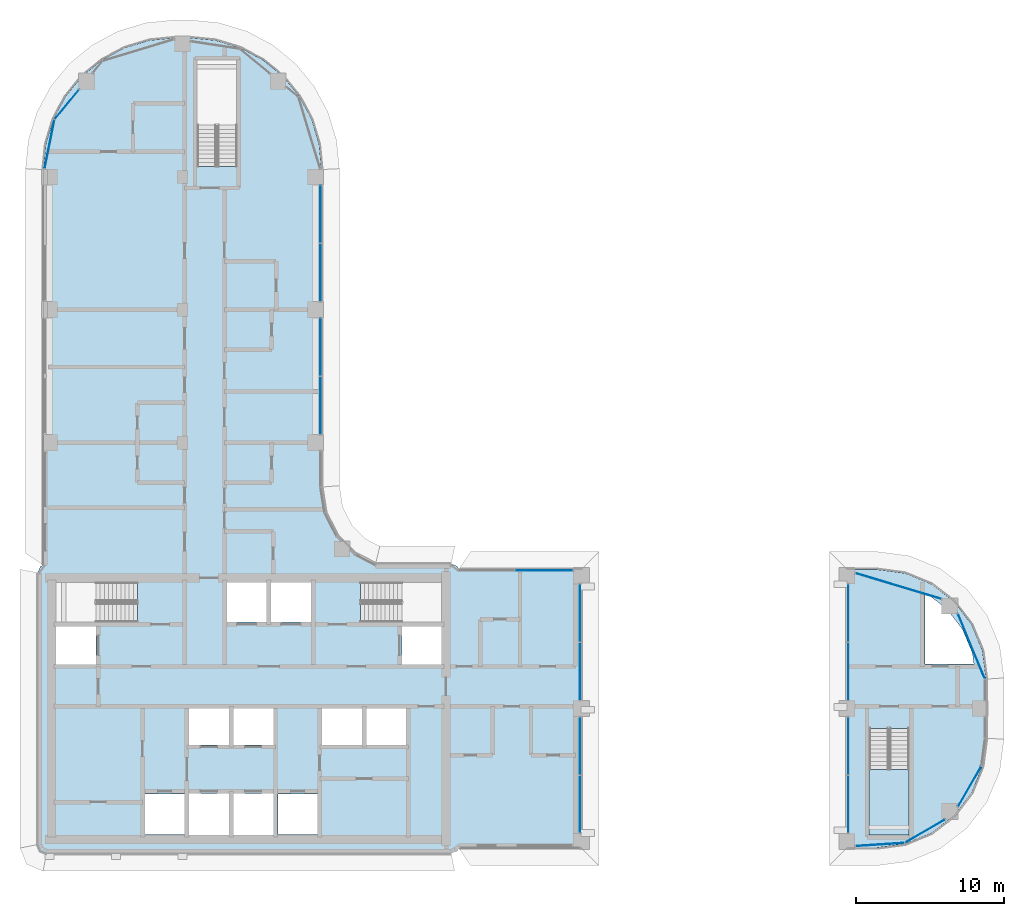
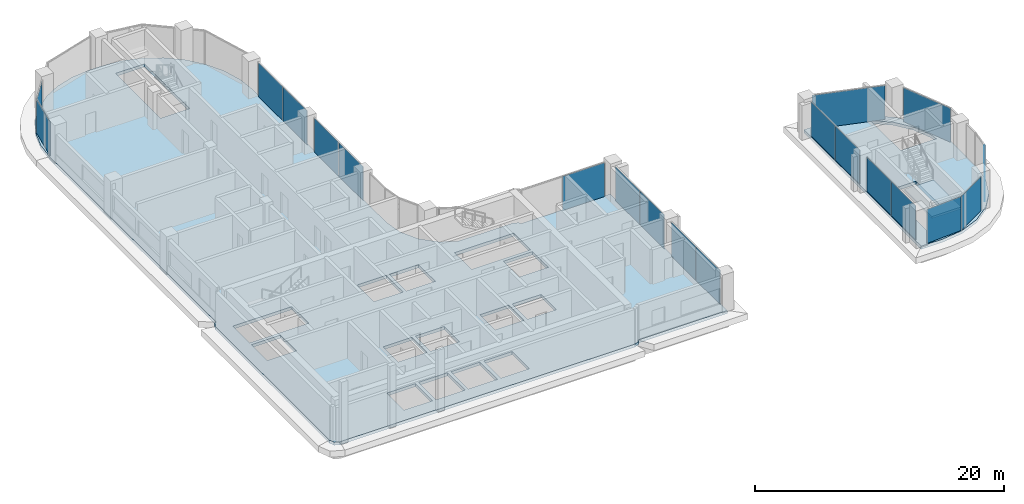
# One storey, part 8 of 24: 20 plates, 3 slabs, 13 elements without a shape of their own.
"""IFC4 building model written with IfcOpenShell, lengths in metres."""

from ifc_helpers import new_model, si_unit, direction, frame, origin, origin_2d, place, context, subcontext, project, spatial, polyline, rectangle, outline, extrude, material, layer, layer_set, type_object, element, aggregate, save


model = new_model("IFC4")

# Units and contexts
model_context = context("Model", 3, precision=1e-05, world=origin(), true_north=direction((0.0, 1.0)))
body_context = subcontext(model_context, "Body", "Model", "MODEL_VIEW")
ifc_project = project(units=[si_unit("LENGTHUNIT", "METRE"), si_unit("AREAUNIT", "SQUARE_METRE"), si_unit("VOLUMEUNIT", "CUBIC_METRE"), si_unit("PLANEANGLEUNIT", "RADIAN"), si_unit("MASSUNIT", "GRAM", prefix="KILO")], contexts=[model_context])

# Site, building, storey
site_placement = place(None, origin())
site = spatial("IfcSite", under=ifc_project, at=site_placement, CompositionType="ELEMENT")
building_placement = place(site_placement, origin())
building = spatial("IfcBuilding", under=site, at=building_placement, Name="Ogive Portal Towers", CompositionType="ELEMENT")
storey_placement = place(building_placement, frame((0.0, 0.0, 153.300048828125)))
storey = spatial("IfcBuildingStorey", under=building, at=storey_placement, Name="L37", CompositionType="ELEMENT", Elevation=153.300048828125)

# Curtain wall, plates
ifc_material_1 = material(Name="Glass, clear low-iron insulated glazing", Category="glass")
curtain_wall_type_1 = type_object("IfcCurtainWallType", Name="CW FRONT RIBBON 4500", PredefinedType="NOTDEFINED", material=ifc_material_1)
curtain_wall_1_placement = place(storey_placement, origin())
curtain_wall_1 = element("IfcCurtainWall", 1, at=curtain_wall_1_placement, inside=storey, type_object=curtain_wall_type_1, Name="A:L37:f06:cw0~1", PredefinedType="NOTDEFINED")
ifc_layer_1 = layer(ifc_material_1, 0.028076171875)
ifc_layer_set_1 = layer_set([ifc_layer_1], Name="CW PANEL IGU 28")
plate_type = type_object("IfcPlateType", Name="CW PANEL IGU 28", PredefinedType="CURTAIN_PANEL", material=ifc_layer_set_1)
plate_1_placement = place(storey_placement, frame((49.844970703125, 51.02490234375, 0.0), z_axis=(0.0, 0.0, 1.0), x_axis=(0.0, 1.0, 0.0)))
plate_1 = element("IfcPlate", 2, at=plate_1_placement, type_object=plate_type, Name="panel", PredefinedType="CURTAIN_PANEL", context=body_context, shape_type="SweptSolid", body=[
    extrude(rectangle(XDim=3.889892578125, YDim=0.028076171875, at=origin_2d()), origin(), (0.0, 0.0, 1.0), 3.340087890625),
])
plate_2_placement = place(storey_placement, frame((49.844970703125, 54.97509765625, 0.0), z_axis=(0.0, 0.0, 1.0), x_axis=(0.0, 1.0, 0.0)))
plate_2 = element("IfcPlate", 3, at=plate_2_placement, type_object=plate_type, Name="panel", PredefinedType="CURTAIN_PANEL", context=body_context, shape_type="SweptSolid", body=[
    extrude(rectangle(XDim=3.889892578125, YDim=0.028076171875, at=origin_2d()), origin(), (0.0, 0.0, 1.0), 3.340087890625),
])
aggregate(curtain_wall_1, [plate_1, plate_2])

curtain_wall_2_placement = place(storey_placement, origin())
curtain_wall_2 = element("IfcCurtainWall", 4, at=curtain_wall_2_placement, inside=storey, type_object=curtain_wall_type_1, Name="A:L37:f06:cw0~2", PredefinedType="NOTDEFINED")
plate_3_placement = place(storey_placement, frame((49.844970703125, 60.02490234375, 0.0), z_axis=(0.0, 0.0, 1.0), x_axis=(0.0, 1.0, 0.0)))
plate_3 = element("IfcPlate", 5, at=plate_3_placement, type_object=plate_type, Name="panel", PredefinedType="CURTAIN_PANEL", context=body_context, shape_type="SweptSolid", body=[
    extrude(rectangle(XDim=3.889892578125, YDim=0.028076171875, at=origin_2d()), origin(), (0.0, 0.0, 1.0), 3.340087890625),
])
plate_4_placement = place(storey_placement, frame((49.844970703125, 63.97509765625, 0.0), z_axis=(0.0, 0.0, 1.0), x_axis=(0.0, 1.0, 0.0)))
plate_4 = element("IfcPlate", 6, at=plate_4_placement, type_object=plate_type, Name="panel", PredefinedType="CURTAIN_PANEL", context=body_context, shape_type="SweptSolid", body=[
    extrude(rectangle(XDim=3.889892578125, YDim=0.028076171875, at=origin_2d()), origin(), (0.0, 0.0, 1.0), 3.340087890625),
])
aggregate(curtain_wall_2, [plate_3, plate_4])

curtain_wall_type_2 = type_object("IfcCurtainWallType", Name="CW PORTAL REVEAL", PredefinedType="NOTDEFINED", material=ifc_material_1)
curtain_wall_3_placement = place(storey_placement, origin())
curtain_wall_3 = element("IfcCurtainWall", 7, at=curtain_wall_3_placement, inside=storey, type_object=curtain_wall_type_2, Name="A:L37:f22:cw0~0", PredefinedType="NOTDEFINED")
plate_5_placement = place(storey_placement, frame((67.419921875, 24.02490234375, 0.0), z_axis=(0.0, 0.0, 1.0), x_axis=(0.0, 1.0, 0.0)))
plate_5 = element("IfcPlate", 8, at=plate_5_placement, type_object=plate_type, Name="panel", PredefinedType="CURTAIN_PANEL", context=body_context, shape_type="SweptSolid", body=[
    extrude(rectangle(XDim=3.889892578125, YDim=0.028076171875, at=origin_2d()), origin(), (0.0, 0.0, 1.0), 3.340087890625),
])
plate_6_placement = place(storey_placement, frame((67.419921875, 27.97509765625, 0.0), z_axis=(0.0, 0.0, 1.0), x_axis=(0.0, 1.0, 0.0)))
plate_6 = element("IfcPlate", 9, at=plate_6_placement, type_object=plate_type, Name="panel", PredefinedType="CURTAIN_PANEL", context=body_context, shape_type="SweptSolid", body=[
    extrude(rectangle(XDim=3.889892578125, YDim=0.028076171875, at=origin_2d()), origin(), (0.0, 0.0, 1.0), 3.340087890625),
])
aggregate(curtain_wall_3, [plate_5, plate_6])

curtain_wall_4_placement = place(storey_placement, origin())
curtain_wall_4 = element("IfcCurtainWall", 10, at=curtain_wall_4_placement, inside=storey, type_object=curtain_wall_type_2, Name="A:L37:f22:cw0~1", PredefinedType="NOTDEFINED")
plate_7_placement = place(storey_placement, frame((67.419921875, 33.02490234375, 0.0), z_axis=(0.0, 0.0, 1.0), x_axis=(0.0, 1.0, 0.0)))
plate_7 = element("IfcPlate", 11, at=plate_7_placement, type_object=plate_type, Name="panel", PredefinedType="CURTAIN_PANEL", context=body_context, shape_type="SweptSolid", body=[
    extrude(rectangle(XDim=3.889892578125, YDim=0.028076171875, at=origin_2d()), origin(), (0.0, 0.0, 1.0), 3.340087890625),
])
plate_8_placement = place(storey_placement, frame((67.419921875, 36.97509765625, 0.0), z_axis=(0.0, 0.0, 1.0), x_axis=(0.0, 1.0, 0.0)))
plate_8 = element("IfcPlate", 12, at=plate_8_placement, type_object=plate_type, Name="panel", PredefinedType="CURTAIN_PANEL", context=body_context, shape_type="SweptSolid", body=[
    extrude(rectangle(XDim=3.889892578125, YDim=0.028076171875, at=origin_2d()), origin(), (0.0, 0.0, 1.0), 3.340087890625),
])
aggregate(curtain_wall_4, [plate_7, plate_8])

# Curtain wall, plate
curtain_wall_5_placement = place(storey_placement, origin())
curtain_wall_5 = element("IfcCurtainWall", 13, at=curtain_wall_5_placement, inside=storey, type_object=curtain_wall_type_1, Name="A:L37:f23:cw0", PredefinedType="NOTDEFINED")
plate_9_placement = place(storey_placement, frame((64.97509765625, 39.844970703125, 0.0), z_axis=(0.0, 0.0, 1.0), x_axis=(-1.0, 0.0, 0.0)))
plate_9 = element("IfcPlate", 14, at=plate_9_placement, type_object=plate_type, Name="panel", PredefinedType="CURTAIN_PANEL", context=body_context, shape_type="SweptSolid", body=[
    extrude(rectangle(XDim=3.889892578125, YDim=0.028076171875, at=origin_2d()), origin(), (0.0, 0.0, 1.0), 3.340087890625),
])
aggregate(curtain_wall_5, [plate_9])

# Curtain wall, plates
curtain_wall_6_placement = place(storey_placement, origin())
curtain_wall_6 = element("IfcCurtainWall", 15, at=curtain_wall_6_placement, inside=storey, type_object=curtain_wall_type_2, Name="A:L37:f24:cw0~0", PredefinedType="NOTDEFINED")
plate_10_placement = place(storey_placement, frame((85.580078125, 36.97509765625, 0.0), z_axis=(0.0, 0.0, 1.0), x_axis=(0.0, -1.0, 0.0)))
plate_10 = element("IfcPlate", 16, at=plate_10_placement, type_object=plate_type, Name="panel", PredefinedType="CURTAIN_PANEL", context=body_context, shape_type="SweptSolid", body=[
    extrude(rectangle(XDim=3.889892578125, YDim=0.028076171875, at=origin_2d()), origin(), (0.0, 0.0, 1.0), 3.340087890625),
])
plate_11_placement = place(storey_placement, frame((85.580078125, 33.02490234375, 0.0), z_axis=(0.0, 0.0, 1.0), x_axis=(0.0, -1.0, 0.0)))
plate_11 = element("IfcPlate", 17, at=plate_11_placement, type_object=plate_type, Name="panel", PredefinedType="CURTAIN_PANEL", context=body_context, shape_type="SweptSolid", body=[
    extrude(rectangle(XDim=3.889892578125, YDim=0.028076171875, at=origin_2d()), origin(), (0.0, 0.0, 1.0), 3.340087890625),
])
aggregate(curtain_wall_6, [plate_10, plate_11])

curtain_wall_7_placement = place(storey_placement, origin())
curtain_wall_7 = element("IfcCurtainWall", 18, at=curtain_wall_7_placement, inside=storey, type_object=curtain_wall_type_2, Name="A:L37:f24:cw0~1", PredefinedType="NOTDEFINED")
plate_12_placement = place(storey_placement, frame((85.580078125, 27.97509765625, 0.0), z_axis=(0.0, 0.0, 1.0), x_axis=(0.0, -1.0, 0.0)))
plate_12 = element("IfcPlate", 19, at=plate_12_placement, type_object=plate_type, Name="panel", PredefinedType="CURTAIN_PANEL", context=body_context, shape_type="SweptSolid", body=[
    extrude(rectangle(XDim=3.889892578125, YDim=0.028076171875, at=origin_2d()), origin(), (0.0, 0.0, 1.0), 3.340087890625),
])
plate_13_placement = place(storey_placement, frame((85.580078125, 24.02490234375, 0.0), z_axis=(0.0, 0.0, 1.0), x_axis=(0.0, -1.0, 0.0)))
plate_13 = element("IfcPlate", 20, at=plate_13_placement, type_object=plate_type, Name="panel", PredefinedType="CURTAIN_PANEL", context=body_context, shape_type="SweptSolid", body=[
    extrude(rectangle(XDim=3.889892578125, YDim=0.028076171875, at=origin_2d()), origin(), (0.0, 0.0, 1.0), 3.340087890625),
])
aggregate(curtain_wall_7, [plate_12, plate_13])

curtain_wall_8_placement = place(storey_placement, origin())
curtain_wall_8 = element("IfcCurtainWall", 21, at=curtain_wall_8_placement, inside=storey, type_object=curtain_wall_type_1, Name="A:L37:f07:cwa~3", PredefinedType="NOTDEFINED")
plate_14_placement = place(storey_placement, frame((32.667236328125, 71.401611328125, 0.0), z_axis=(0.0, 0.0, 1.0), x_axis=(-0.634393284164, -0.773010453363, 0.0)))
plate_14 = element("IfcPlate", 22, at=plate_14_placement, type_object=plate_type, Name="panel", PredefinedType="CURTAIN_PANEL", context=body_context, shape_type="SweptSolid", body=[
    extrude(rectangle(XDim=2.582763671875, YDim=0.028076171875, at=origin_2d()), origin(), (0.0, 0.0, 1.0), 3.340087890625),
])
plate_15_placement = place(storey_placement, frame((31.497802734375, 68.715087890625, 0.0), z_axis=(0.0, 0.0, 1.0), x_axis=(-0.195090322016, -0.980785280403, 0.0)))
plate_15 = element("IfcPlate", 23, at=plate_15_placement, type_object=plate_type, Name="panel", PredefinedType="CURTAIN_PANEL", context=body_context, shape_type="SweptSolid", body=[
    extrude(rectangle(XDim=3.33544921875, YDim=0.028076171875, at=origin_2d()), origin(), (0.0, 0.0, 1.0), 3.340087890625),
])
aggregate(curtain_wall_8, [plate_14, plate_15])

curtain_wall_9_placement = place(storey_placement, origin())
curtain_wall_9 = element("IfcCurtainWall", 24, at=curtain_wall_9_placement, inside=storey, type_object=curtain_wall_type_1, Name="A:L37:f25:cwa~0", PredefinedType="NOTDEFINED")
plate_16_placement = place(storey_placement, frame((87.723876953125, 21.298583984375, 0.0), z_axis=(0.0, 0.0, 1.0), x_axis=(0.997925540949, 0.064378682198, 0.0)))
plate_16 = element("IfcPlate", 25, at=plate_16_placement, type_object=plate_type, Name="panel", PredefinedType="CURTAIN_PANEL", context=body_context, shape_type="SweptSolid", body=[
    extrude(rectangle(XDim=3.294921875, YDim=0.028076171875, at=origin_2d()), origin(), (0.0, 0.0, 1.0), 3.340087890625),
])
plate_17_placement = place(storey_placement, frame((90.77783203125, 22.203369140625, 0.0), z_axis=(0.0, 0.0, 1.0), x_axis=(0.866025403784, 0.5, 0.0)))
plate_17 = element("IfcPlate", 26, at=plate_17_placement, type_object=plate_type, Name="panel", PredefinedType="CURTAIN_PANEL", context=body_context, shape_type="SweptSolid", body=[
    extrude(rectangle(XDim=3.126708984375, YDim=0.028076171875, at=origin_2d()), origin(), (0.0, 0.0, 1.0), 3.340087890625),
])
aggregate(curtain_wall_9, [plate_16, plate_17])

# Curtain wall, plate
curtain_wall_10_placement = place(storey_placement, origin())
curtain_wall_10 = element("IfcCurtainWall", 27, at=curtain_wall_10_placement, inside=storey, type_object=curtain_wall_type_1, Name="A:L37:f25:cwa~1", PredefinedType="NOTDEFINED")
plate_18_placement = place(storey_placement, frame((93.79736328125, 25.223388671875, 0.0), z_axis=(0.0, 0.0, 1.0), x_axis=(0.5, 0.866025403784, 0.0)))
plate_18 = element("IfcPlate", 28, at=plate_18_placement, type_object=plate_type, Name="panel", PredefinedType="CURTAIN_PANEL", context=body_context, shape_type="SweptSolid", body=[
    extrude(rectangle(XDim=3.129638671875, YDim=0.028076171875, at=origin_2d()), origin(), (0.0, 0.0, 1.0), 3.340087890625),
])
aggregate(curtain_wall_10, [plate_18])

curtain_wall_11_placement = place(storey_placement, origin())
curtain_wall_11 = element("IfcCurtainWall", 29, at=curtain_wall_11_placement, inside=storey, type_object=curtain_wall_type_1, Name="A:L37:f30:cwa~0", PredefinedType="NOTDEFINED")
plate_19_placement = place(storey_placement, frame((93.922607421875, 34.711181640625, 0.0), z_axis=(0.0, 0.0, 1.0), x_axis=(-0.382683432365, 0.923879532511, 0.0)))
plate_19 = element("IfcPlate", 30, at=plate_19_placement, type_object=plate_type, Name="panel", PredefinedType="CURTAIN_PANEL", context=body_context, shape_type="SweptSolid", body=[
    extrude(rectangle(XDim=4.76123046875, YDim=0.028076171875, at=origin_2d()), origin(), (0.0, 0.0, 1.0), 3.340087890625),
])
aggregate(curtain_wall_11, [plate_19])

curtain_wall_12_placement = place(storey_placement, origin())
curtain_wall_12 = element("IfcCurtainWall", 31, at=curtain_wall_12_placement, inside=storey, type_object=curtain_wall_type_1, Name="A:L37:f30:cwa~1", PredefinedType="NOTDEFINED")
plate_20_placement = place(storey_placement, frame((88.97509765625, 38.799072265625, 0.0), z_axis=(0.0, 0.0, 1.0), x_axis=(-0.95783894531, 0.287305681891, 0.0)))
plate_20 = element("IfcPlate", 32, at=plate_20_placement, type_object=plate_type, Name="panel", PredefinedType="CURTAIN_PANEL", context=body_context, shape_type="SweptSolid", body=[
    extrude(rectangle(XDim=6.047607421875, YDim=0.028076171875, at=origin_2d()), origin(), (0.0, 0.0, 1.0), 3.340087890625),
])
aggregate(curtain_wall_12, [plate_20])

# Stair, slab
ifc_material_2 = material(Name="Concrete C40/50", Category="concrete")
stair_type = type_object("IfcStairType", Name="INT-STAIR", PredefinedType="HALF_TURN_STAIR", material=ifc_material_2)
stair_placement = place(storey_placement, origin())
stair = element("IfcStair", 33, at=stair_placement, inside=storey, type_object=stair_type, Name="L37 Exit Stair ST-A4", PredefinedType="HALF_TURN_STAIR")
ifc_layer_2 = layer(ifc_material_2, 0.199951171875)
ifc_layer_set_2 = layer_set([ifc_layer_2], Name="INT-LANDING")
slab_type_1 = type_object("IfcSlabType", Name="INT-LANDING", PredefinedType="LANDING", material=ifc_layer_set_2)
slab_1_placement = place(storey_placement, frame((0.0, 0.0, 1.64990234375)))
slab_1 = element("IfcSlab", 34, at=slab_1_placement, type_object=slab_type_1, Name="ST-A4 landing 1", PredefinedType="LANDING", context=body_context, shape_type="SweptSolid", body=[
    extrude(outline(polyline([(87.0, 26.3701171875), (87.0, 21.949951171875), (89.699951171875, 21.949951171875), (89.699951171875, 26.3701171875), (87.0, 26.3701171875)])), origin(), (0.0, 0.0, 1.0), 0.199951171875),
])
aggregate(stair, [slab_1])

# Slabs
ifc_material_3 = material(Name="Concrete C45/55", Category="concrete")
ifc_layer_3 = layer(ifc_material_3, 0.300048828125)
ifc_layer_set_3 = layer_set([ifc_layer_3], Name="PT FLAT PLATE 300")
slab_type_2 = type_object("IfcSlabType", Name="PT FLAT PLATE 300", PredefinedType="FLOOR", material=ifc_layer_set_3)
slab_2_placement = place(storey_placement, frame((0.0, 0.0, -0.300048828125)))
element("IfcSlab", 35, at=slab_2_placement, inside=storey, type_object=slab_type_2, Name="Floor slab L37", PredefinedType="FLOOR", context=body_context, shape_type="SweptSolid", body=[
    extrude(outline(polyline([(59.124267578125, 20.875732421875), (59.206787109375, 21.074951171875), (67.5, 21.074951171875), (67.5, 39.925048828125), (59.206787109375, 39.925048828125), (59.124267578125, 40.124267578125), (58.699951171875, 40.300048828125), (53.576904296875, 40.300048828125), (52.22314453125, 40.98974609375), (50.98974609375, 42.22314453125), (50.197998046875, 43.777099609375), (49.925048828125, 45.5), (49.925048828125, 67.0), (49.75341796875, 68.7412109375), (49.24560546875, 70.415283203125), (48.4208984375, 71.95849609375), (47.310791015625, 73.310791015625), (45.95849609375, 74.4208984375), (44.415283203125, 75.24560546875), (42.7412109375, 75.75341796875), (41.0, 75.925048828125), (40.0, 75.925048828125), (38.2587890625, 75.75341796875), (36.584716796875, 75.24560546875), (35.04150390625, 74.4208984375), (33.689208984375, 73.310791015625), (32.5791015625, 71.95849609375), (31.75439453125, 70.415283203125), (31.24658203125, 68.7412109375), (31.074951171875, 67.0), (31.074951171875, 40.206787109375), (30.875732421875, 40.124267578125), (30.699951171875, 39.699951171875), (30.699951171875, 21.300048828125), (30.875732421875, 20.875732421875), (31.300048828125, 20.699951171875), (58.699951171875, 20.699951171875), (59.124267578125, 20.875732421875)]), holes=[polyline([(40.6298828125, 21.969970703125), (37.969970703125, 21.969970703125), (37.969970703125, 24.72998046875), (40.6298828125, 24.72998046875), (40.6298828125, 21.969970703125)]), polyline([(43.64990234375, 24.75), (43.64990234375, 21.949951171875), (40.949951171875, 21.949951171875), (40.949951171875, 24.75), (43.64990234375, 24.75)]), polyline([(46.64990234375, 24.75), (46.64990234375, 21.949951171875), (43.949951171875, 21.949951171875), (43.949951171875, 24.75), (46.64990234375, 24.75)]), polyline([(43.64990234375, 30.5), (43.64990234375, 28.050048828125), (40.949951171875, 28.050048828125), (40.949951171875, 30.5), (43.64990234375, 30.5)]), polyline([(46.64990234375, 30.5), (46.64990234375, 28.050048828125), (43.949951171875, 28.050048828125), (43.949951171875, 30.5), (46.64990234375, 30.5)]), polyline([(34.64990234375, 36.050048828125), (34.64990234375, 33.5), (31.949951171875, 33.5), (31.949951171875, 36.050048828125), (34.64990234375, 36.050048828125)]), polyline([(31.951904296875, 39.048095703125), (37.447998046875, 39.048095703125), (37.447998046875, 36.35205078125), (31.951904296875, 36.35205078125), (31.951904296875, 39.048095703125)]), polyline([(46.199951171875, 39.050048828125), (46.199951171875, 36.35009765625), (43.5, 36.35009765625), (43.5, 39.050048828125), (46.199951171875, 39.050048828125)]), polyline([(44.197998046875, 74.447998046875), (44.197998046875, 67.201904296875), (41.501953125, 67.201904296875), (41.501953125, 74.447998046875), (44.197998046875, 74.447998046875)]), polyline([(49.6298828125, 21.969970703125), (46.969970703125, 21.969970703125), (46.969970703125, 24.72998046875), (49.6298828125, 24.72998046875), (49.6298828125, 21.969970703125)]), polyline([(52.64990234375, 30.5), (52.64990234375, 28.050048828125), (49.949951171875, 28.050048828125), (49.949951171875, 30.5), (52.64990234375, 30.5)]), polyline([(55.64990234375, 30.5), (55.64990234375, 28.050048828125), (52.949951171875, 28.050048828125), (52.949951171875, 30.5), (55.64990234375, 30.5)]), polyline([(58.050048828125, 36.050048828125), (58.050048828125, 33.5), (55.35009765625, 33.5), (55.35009765625, 36.050048828125), (58.050048828125, 36.050048828125)]), polyline([(49.199951171875, 36.35009765625), (46.5, 36.35009765625), (46.5, 39.050048828125), (49.199951171875, 39.050048828125), (49.199951171875, 36.35009765625)]), polyline([(52.552001953125, 36.35205078125), (52.552001953125, 39.048095703125), (58.048095703125, 39.048095703125), (58.048095703125, 36.35205078125), (52.552001953125, 36.35205078125)])]), origin(), (0.0, 0.0, 1.0), 0.300048828125),
])
slab_3_placement = place(storey_placement, frame((0.0, 0.0, -0.300048828125)))
element("IfcSlab", 36, at=slab_3_placement, inside=storey, type_object=slab_type_2, Name="Floor slab L37", PredefinedType="FLOOR", context=body_context, shape_type="SweptSolid", body=[
    extrude(outline(polyline([(91.21240234375, 38.93017578125), (89.421630859375, 39.672119140625), (87.5, 39.925048828125), (85.5, 39.925048828125), (85.5, 21.074951171875), (87.5, 21.074951171875), (89.421630859375, 21.327880859375), (91.21240234375, 22.06982421875), (92.750244140625, 23.249755859375), (93.93017578125, 24.78759765625), (94.672119140625, 26.578369140625), (94.925048828125, 28.5), (94.925048828125, 32.5), (94.672119140625, 34.421630859375), (93.93017578125, 36.21240234375), (92.750244140625, 37.750244140625), (91.21240234375, 38.93017578125)]), holes=[polyline([(87.001953125, 21.951904296875), (87.001953125, 29.16796875), (89.697998046875, 29.16796875), (89.697998046875, 21.951904296875), (87.001953125, 21.951904296875)]), polyline([(92.2509765625, 37.2509765625), (93.31884765625, 35.859619140625), (93.989990234375, 34.239013671875), (94.084716796875, 33.52001953125), (90.77001953125, 33.52001953125), (90.77001953125, 38.35595703125), (90.859619140625, 38.31884765625), (92.2509765625, 37.2509765625)])]), origin(), (0.0, 0.0, 1.0), 0.300048828125),
])

save(model, "model.ifc")
